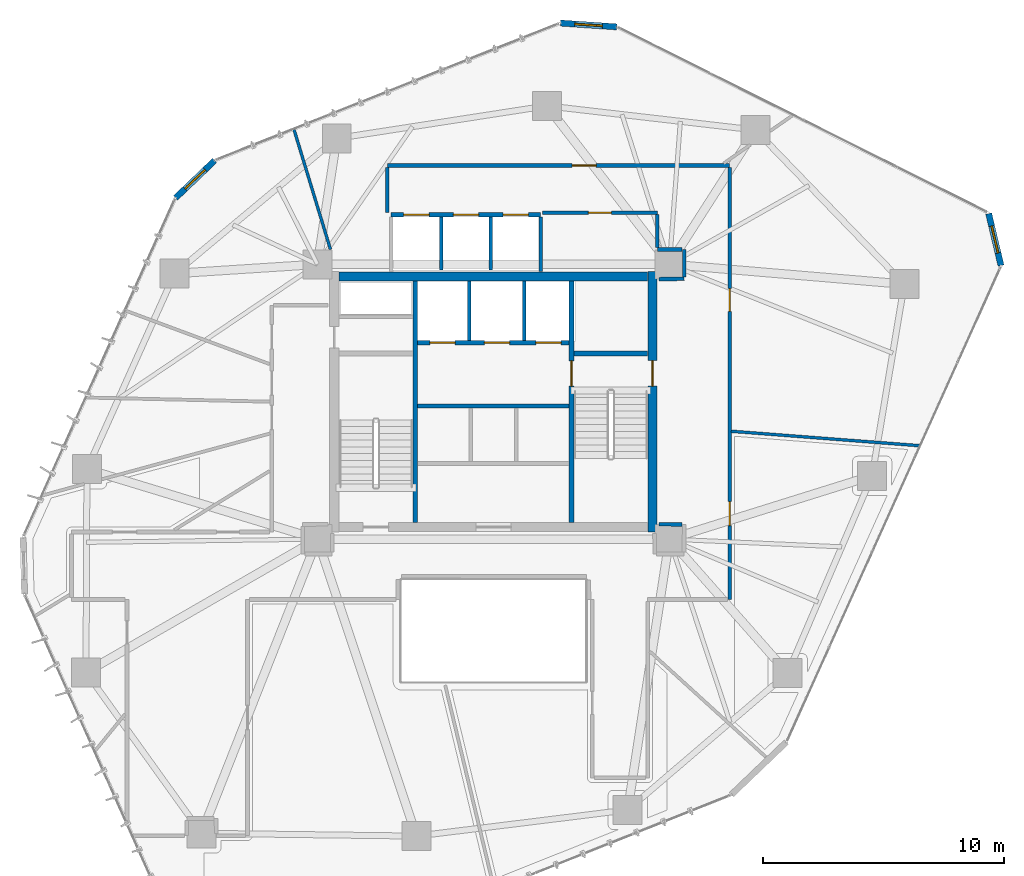
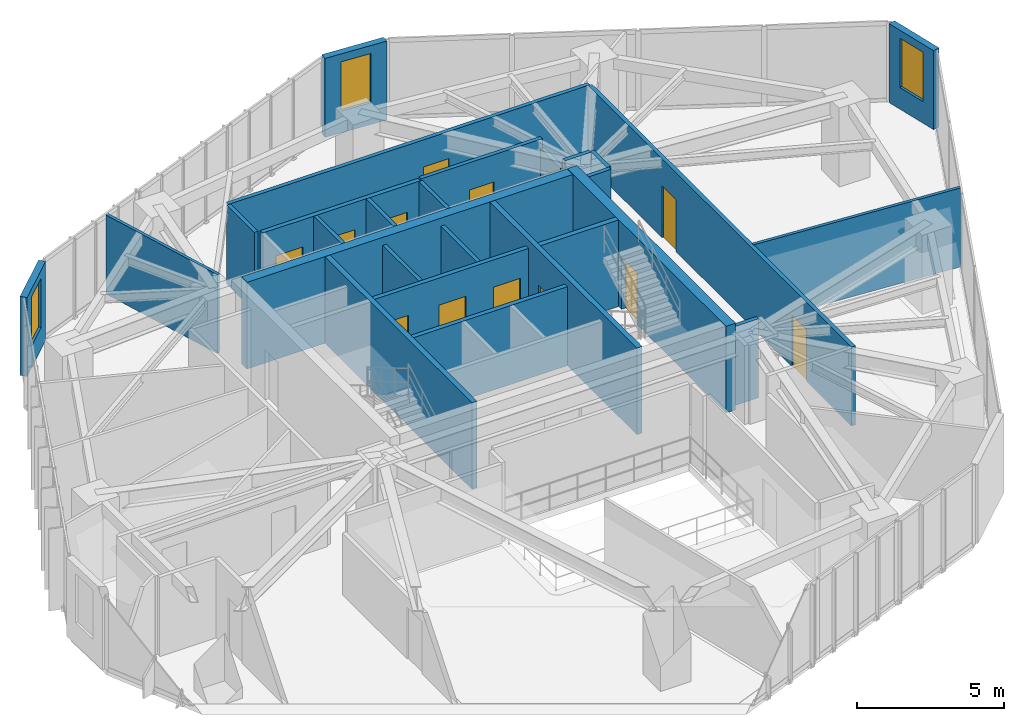
# One storey, part 18 of 22: 27 walls, 12 doors, 3 windows, 15 openings.
"""IFC4 building model written with IfcOpenShell, lengths in metres."""

from ifc_helpers import new_model, si_unit, direction, frame, frame_2d, origin, place, context, subcontext, project, spatial, rectangle, extrude, source, transform, mapped, material, layer, layer_set, type_object, type_shapes, element, fill, save


model = new_model("IFC4")

# Units and contexts
model_context = context("Model", 3, precision=1e-05, world=origin(), true_north=direction((0.0, 1.0)))
body_context = subcontext(model_context, "Body", "Model", "MODEL_VIEW")
ifc_project = project(units=[si_unit("LENGTHUNIT", "METRE"), si_unit("AREAUNIT", "SQUARE_METRE"), si_unit("VOLUMEUNIT", "CUBIC_METRE"), si_unit("PLANEANGLEUNIT", "RADIAN"), si_unit("MASSUNIT", "GRAM", prefix="KILO")], contexts=[model_context])

# Site, building, storey
site_placement = place(None, origin())
site = spatial("IfcSite", under=ifc_project, at=site_placement, CompositionType="ELEMENT")
building_placement = place(site_placement, origin())
building = spatial("IfcBuilding", under=site, at=building_placement, Name="Talar Marvaseh", CompositionType="ELEMENT")
storey_placement = place(building_placement, frame((0.0, 0.0, 154.199951171875)))
storey = spatial("IfcBuildingStorey", under=building, at=storey_placement, Name="L40", CompositionType="ELEMENT", Elevation=154.199951171875)

# Wall, opening, window
ifc_material_1 = material(Name="Precast concrete C45/55", Category="concrete")
ifc_layer_1 = layer(ifc_material_1, 0.2548828125)
ifc_layer_set_1 = layer_set([ifc_layer_1], Name="Precast concrete C45/55")
wall_type_1 = type_object("IfcWallType", Name="Chamfered Hexagonal Corner Pier Wall Z2 255", PredefinedType="SOLIDWALL", material=ifc_layer_set_1)
wall_1_placement = place(storey_placement, frame((12.81298828125, 39.652099609375, 0.0), z_axis=(0.0, 0.0, 1.0), x_axis=(0.722379662659, 0.69149665435, 0.0)))
wall_1 = element("IfcWall", 1, at=wall_1_placement, inside=storey, type_object=wall_type_1, Name="L40 Chamfered Corner Limestone Pier 3", PredefinedType="SOLIDWALL", context=body_context, shape_type="SweptSolid", body=[
    extrude(rectangle(XDim=2.2451171875, YDim=0.2548828125, at=frame_2d((1.12255859375, 0.0))), origin(), (0.0, 0.0, 1.0), 3.280029296875),
])
opening_1_placement = place(wall_1_placement, frame((0.548095703125, 0.0, 0.89990234375)))
opening_1 = element("IfcOpeningElement", 2, at=opening_1_placement, cuts=wall_1, Name="Opening WN-CHM11", PredefinedType="OPENING", context=body_context, shape_type="SweptSolid", body=[
    extrude(rectangle(XDim=1.14990234375, YDim=2.050048828125, at=frame_2d((0.574951171875, 1.02490234375))), frame((0.0, 0.137451171875, 0.0), z_axis=(0.0, -1.0, 0.0), x_axis=(1.0, 0.0, 0.0)), (0.0, 0.0, 1.0), 0.27490234375),
])
ifc_material_2 = material(Name="Laminated Low-E Solar Glass", Category="glass")
window_type = type_object("IfcWindowType", Name="Zone 2 Chamfered Corner Slot Window 1150x2050", PartitioningType="SINGLE_PANEL", PredefinedType="WINDOW", material=ifc_material_2)
shared_shape_1 = source(origin(), body_context, "Body", "SweptSolid", [
    extrude(rectangle(XDim=1.14990234375, YDim=2.050048828125, at=frame_2d((0.574951171875, 1.02490234375))), frame((0.0, 0.030029296875, 0.0), z_axis=(0.0, -1.0, 0.0), x_axis=(1.0, 0.0, 0.0)), (0.0, 0.0, 1.0), 0.06005859375),
])
type_shapes(window_type, [shared_shape_1])
window_1_placement = place(opening_1_placement, origin())
window_1 = element("IfcWindow", 3, at=window_1_placement, inside=storey, type_object=window_type, Name="L40 Chamfered Corner Slot Window", OverallHeight=2.050048828125, OverallWidth=1.14990234375, PartitioningType="SINGLE_PANEL", PredefinedType="WINDOW", context=body_context, shape_type="MappedRepresentation", body=[
    mapped(shared_shape_1, transform((0.0, 0.0, 0.0), x_axis=(1.0, 0.0, 0.0), y_axis=(0.0, 1.0, 0.0), z_axis=(0.0, 0.0, 1.0), scale=1.0)),
])
fill(opening_1, window_1)

wall_2_placement = place(storey_placement, frame((28.781494140625, 46.906982421875, 0.0), z_axis=(0.0, 0.0, 1.0), x_axis=(0.997713518123, -0.067585026107, 0.0)))
wall_2 = element("IfcWall", 4, at=wall_2_placement, inside=storey, type_object=wall_type_1, Name="L40 Chamfered Corner Limestone Pier 4", PredefinedType="SOLIDWALL", context=body_context, shape_type="SweptSolid", body=[
    extrude(rectangle(XDim=2.3408203125, YDim=0.2548828125, at=frame_2d((1.17041015625, 0.0))), origin(), (0.0, 0.0, 1.0), 3.280029296875),
])
opening_2_placement = place(wall_2_placement, frame((0.594970703125, 0.0, 0.89990234375)))
opening_2 = element("IfcOpeningElement", 5, at=opening_2_placement, cuts=wall_2, Name="Opening WN-CHM11", PredefinedType="OPENING", context=body_context, shape_type="SweptSolid", body=[
    extrude(rectangle(XDim=1.14990234375, YDim=2.050048828125, at=frame_2d((0.574951171875, 1.02490234375))), frame((0.0, 0.137451171875, 0.0), z_axis=(0.0, -1.0, 0.0), x_axis=(1.0, 0.0, 0.0)), (0.0, 0.0, 1.0), 0.27490234375),
])
window_2_placement = place(opening_2_placement, origin())
window_2 = element("IfcWindow", 6, at=window_2_placement, inside=storey, type_object=window_type, Name="L40 Chamfered Corner Slot Window", OverallHeight=2.050048828125, OverallWidth=1.14990234375, PartitioningType="SINGLE_PANEL", PredefinedType="WINDOW", context=body_context, shape_type="MappedRepresentation", body=[
    mapped(shared_shape_1, transform((0.0, 0.0, 0.0), x_axis=(1.0, 0.0, 0.0), y_axis=(0.0, 1.0, 0.0), z_axis=(0.0, 0.0, 1.0), scale=1.0)),
])
fill(opening_2, window_2)

wall_3_placement = place(storey_placement, frame((46.543701171875, 39.006103515625, 0.0), z_axis=(0.0, 0.0, 1.0), x_axis=(0.230518527503, -0.973067936209, 0.0)))
wall_3 = element("IfcWall", 7, at=wall_3_placement, inside=storey, type_object=wall_type_1, Name="L40 Chamfered Corner Limestone Pier 5", PredefinedType="SOLIDWALL", context=body_context, shape_type="SweptSolid", body=[
    extrude(rectangle(XDim=2.216796875, YDim=0.2548828125, at=frame_2d((1.1083984375, 0.0))), origin(), (0.0, 0.0, 1.0), 3.280029296875),
])
opening_3_placement = place(wall_3_placement, frame((0.532958984375, 0.0, 0.89990234375)))
opening_3 = element("IfcOpeningElement", 8, at=opening_3_placement, cuts=wall_3, Name="Opening WN-CHM11", PredefinedType="OPENING", context=body_context, shape_type="SweptSolid", body=[
    extrude(rectangle(XDim=1.14990234375, YDim=2.050048828125, at=frame_2d((0.574951171875, 1.02490234375))), frame((0.0, 0.137451171875, 0.0), z_axis=(0.0, -1.0, 0.0), x_axis=(1.0, 0.0, 0.0)), (0.0, 0.0, 1.0), 0.27490234375),
])
window_3_placement = place(opening_3_placement, origin())
window_3 = element("IfcWindow", 9, at=window_3_placement, inside=storey, type_object=window_type, Name="L40 Chamfered Corner Slot Window", OverallHeight=2.050048828125, OverallWidth=1.14990234375, PartitioningType="SINGLE_PANEL", PredefinedType="WINDOW", context=body_context, shape_type="MappedRepresentation", body=[
    mapped(shared_shape_1, transform((0.0, 0.0, 0.0), x_axis=(1.0, 0.0, 0.0), y_axis=(0.0, 1.0, 0.0), z_axis=(0.0, 0.0, 1.0), scale=1.0)),
])
fill(opening_3, window_3)

# Wall, opening, door
ifc_material_3 = material(Name="Gypsum Board Partition Assembly")
ifc_layer_2 = layer(ifc_material_3, 0.155029296875)
ifc_layer_set_2 = layer_set([ifc_layer_2], Name="Gypsum Board Partition Assembly")
wall_type_2 = type_object("IfcWallType", Name="Corridor Fire-Rated Acoustic Partition 155", PredefinedType="PARTITIONING", material=ifc_layer_set_2)
wall_4_placement = place(storey_placement, frame((32.800048828125, 39.0400390625, 0.0), z_axis=(0.0, 0.0, 1.0), x_axis=(-1.0, 0.0, 0.0)))
wall_4 = element("IfcWall", 10, at=wall_4_placement, inside=storey, type_object=wall_type_2, Name="L40 Interior Partition Wall", PredefinedType="PARTITIONING", context=body_context, shape_type="SweptSolid", body=[
    extrude(rectangle(XDim=4.77001953125, YDim=0.155029296875, at=frame_2d((2.385009765625, 0.0))), origin(), (0.0, 0.0, 1.0), 3.280029296875),
])
opening_4_placement = place(wall_4_placement, frame((1.909912109375, 0.0, 0.0)))
opening_4 = element("IfcOpeningElement", 11, at=opening_4_placement, cuts=wall_4, Name="Opening DR-WC095", PredefinedType="OPENING", context=body_context, shape_type="SweptSolid", body=[
    extrude(rectangle(XDim=0.949951171875, YDim=2.14990234375, at=frame_2d((0.47509765625, 1.074951171875))), frame((0.0, 0.08740234375, 0.0), z_axis=(0.0, -1.0, 0.0), x_axis=(1.0, 0.0, 0.0)), (0.0, 0.0, 1.0), 0.175048828125),
])
ifc_material_4 = material(Name="Acoustic Engineered Oak Timber", Category="wood")
door_type_1 = type_object("IfcDoorType", Name="Washroom and Service Room Door 950x2150", OperationType="NOTDEFINED", PredefinedType="DOOR", material=ifc_material_4)
shared_shape_2 = source(origin(), body_context, "Body", "SweptSolid", [
    extrude(rectangle(XDim=0.949951171875, YDim=2.14990234375, at=frame_2d((0.47509765625, 1.074951171875))), frame((0.0, 0.02490234375, 0.0), z_axis=(0.0, -1.0, 0.0), x_axis=(1.0, 0.0, 0.0)), (0.0, 0.0, 1.0), 0.050048828125),
])
type_shapes(door_type_1, [shared_shape_2])
door_1_placement = place(opening_4_placement, origin())
door_1 = element("IfcDoor", 12, at=door_1_placement, inside=storey, type_object=door_type_1, Name="L40 Accessible WC Door", OperationType="SINGLE_SWING_RIGHT", OverallHeight=2.14990234375, OverallWidth=0.949951171875, PredefinedType="DOOR", context=body_context, shape_type="MappedRepresentation", body=[
    mapped(shared_shape_2, transform((0.0, 0.0, 0.0), x_axis=(1.0, 0.0, 0.0), y_axis=(0.0, 1.0, 0.0), z_axis=(0.0, 0.0, 1.0), scale=1.0)),
])
fill(opening_4, door_1)

wall_5_placement = place(storey_placement, frame((21.60009765625, 41.0, 0.0), z_axis=(0.0, 0.0, 1.0), x_axis=(1.0, 0.0, 0.0)))
wall_5 = element("IfcWall", 13, at=wall_5_placement, inside=storey, type_object=wall_type_2, Name="L40 Interior Partition Wall", PredefinedType="PARTITIONING", context=body_context, shape_type="SweptSolid", body=[
    extrude(rectangle(XDim=14.199951171875, YDim=0.155029296875, at=frame_2d((7.10009765625, 0.0))), origin(), (0.0, 0.0, 1.0), 3.280029296875),
])
opening_5_placement = place(wall_5_placement, frame((7.660888671875, 0.0, 0.0)))
opening_5 = element("IfcOpeningElement", 14, at=opening_5_placement, cuts=wall_5, Name="Opening DR-RM100", PredefinedType="OPENING", context=body_context, shape_type="SweptSolid", body=[
    extrude(rectangle(XDim=1.0, YDim=2.14990234375, at=frame_2d((0.5, 1.074951171875))), frame((0.0, 0.08740234375, 0.0), z_axis=(0.0, -1.0, 0.0), x_axis=(1.0, 0.0, 0.0)), (0.0, 0.0, 1.0), 0.175048828125),
])
door_type_2 = type_object("IfcDoorType", Name="Corridor Fire-Rated Gallery Door 1000x2150", OperationType="NOTDEFINED", PredefinedType="DOOR", material=ifc_material_4)
shared_shape_3 = source(origin(), body_context, "Body", "SweptSolid", [
    extrude(rectangle(XDim=1.0, YDim=2.14990234375, at=frame_2d((0.5, 1.074951171875))), frame((0.0, 0.02490234375, 0.0), z_axis=(0.0, -1.0, 0.0), x_axis=(1.0, 0.0, 0.0)), (0.0, 0.0, 1.0), 0.050048828125),
])
type_shapes(door_type_2, [shared_shape_3])
door_2_placement = place(opening_5_placement, origin())
door_2 = element("IfcDoor", 15, at=door_2_placement, inside=storey, type_object=door_type_2, Name="L40 Conservation Laboratory Door", OperationType="SINGLE_SWING_LEFT", OverallHeight=2.14990234375, OverallWidth=1.0, PredefinedType="DOOR", context=body_context, shape_type="MappedRepresentation", body=[
    mapped(shared_shape_3, transform((0.0, 0.0, 0.0), x_axis=(1.0, 0.0, 0.0), y_axis=(0.0, 1.0, 0.0), z_axis=(0.0, 0.0, 1.0), scale=1.0)),
])
fill(opening_5, door_2)

# Wall, openings, doors
wall_6_placement = place(storey_placement, frame((35.800048828125, 40.91650390625, 0.0), z_axis=(0.0, 0.0, 1.0), x_axis=(0.0, -1.0, 0.0)))
wall_6 = element("IfcWall", 16, at=wall_6_placement, inside=storey, type_object=wall_type_2, Name="L40 Interior Partition Wall", PredefinedType="PARTITIONING", context=body_context, shape_type="SweptSolid", body=[
    extrude(rectangle(XDim=17.91650390625, YDim=0.155029296875, at=frame_2d((8.958251953125, 0.0))), origin(), (0.0, 0.0, 1.0), 3.280029296875),
])
opening_6_placement = place(wall_6_placement, frame((13.85498046875, 0.0, 0.0)))
opening_6 = element("IfcOpeningElement", 17, at=opening_6_placement, cuts=wall_6, Name="Opening DR-RM100", PredefinedType="OPENING", context=body_context, shape_type="SweptSolid", body=[
    extrude(rectangle(XDim=1.0, YDim=2.14990234375, at=frame_2d((0.5, 1.074951171875))), frame((0.0, 0.08740234375, 0.0), z_axis=(0.0, -1.0, 0.0), x_axis=(1.0, 0.0, 0.0)), (0.0, 0.0, 1.0), 0.175048828125),
])
opening_7_placement = place(wall_6_placement, frame((5.02001953125, 0.0, 0.0)))
opening_7 = element("IfcOpeningElement", 18, at=opening_7_placement, cuts=wall_6, Name="Opening DR-WC095", PredefinedType="OPENING", context=body_context, shape_type="SweptSolid", body=[
    extrude(rectangle(XDim=0.949951171875, YDim=2.14990234375, at=frame_2d((0.47509765625, 1.074951171875))), frame((0.0, 0.08740234375, 0.0), z_axis=(0.0, -1.0, 0.0), x_axis=(1.0, 0.0, 0.0)), (0.0, 0.0, 1.0), 0.175048828125),
])
door_3_placement = place(opening_7_placement, origin())
door_3 = element("IfcDoor", 19, at=door_3_placement, inside=storey, type_object=door_type_1, Name="L40 Fellows' Coffee Pantry Door", OperationType="SINGLE_SWING_LEFT", OverallHeight=2.14990234375, OverallWidth=0.949951171875, PredefinedType="DOOR", context=body_context, shape_type="MappedRepresentation", body=[
    mapped(shared_shape_2, transform((0.0, 0.0, 0.0), x_axis=(1.0, 0.0, 0.0), y_axis=(0.0, 1.0, 0.0), z_axis=(0.0, 0.0, 1.0), scale=1.0)),
])
fill(opening_7, door_3)
door_4_placement = place(opening_6_placement, origin())
door_4 = element("IfcDoor", 20, at=door_4_placement, inside=storey, type_object=door_type_2, Name="L40 Cultural Fellowship Office Door", OperationType="SINGLE_SWING_RIGHT", OverallHeight=2.14990234375, OverallWidth=1.0, PredefinedType="DOOR", context=body_context, shape_type="MappedRepresentation", body=[
    mapped(shared_shape_3, transform((0.0, 0.0, 0.0), x_axis=(1.0, 0.0, 0.0), y_axis=(0.0, 1.0, 0.0), z_axis=(0.0, 0.0, 1.0), scale=1.0)),
])
fill(opening_6, door_4)

# Walls
wall_7_placement = place(storey_placement, frame((33.828125, 26.110107421875, 0.0), z_axis=(0.0, 0.0, 1.0), x_axis=(-0.999987011364, 0.005096773758, 0.0)))
element("IfcWall", 21, at=wall_7_placement, inside=storey, type_object=wall_type_2, Name="L40 Interior Partition Wall", PredefinedType="PARTITIONING", context=body_context, shape_type="SweptSolid", body=[
    extrude(rectangle(XDim=0.9580078125, YDim=0.155029296875, at=frame_2d((0.47900390625, 0.0))), origin(), (0.0, 0.0, 1.0), 3.280029296875),
])
wall_8_placement = place(storey_placement, frame((32.8701171875, 36.284912109375, 0.0), z_axis=(0.0, 0.0, 1.0), x_axis=(0.999895094683, 0.014484461652, 0.0)))
element("IfcWall", 22, at=wall_8_placement, inside=storey, type_object=wall_type_2, Name="L40 Interior Partition Wall", PredefinedType="PARTITIONING", context=body_context, shape_type="SweptSolid", body=[
    extrude(rectangle(XDim=1.044921875, YDim=0.155029296875, at=frame_2d((0.5224609375, 0.0))), origin(), (0.0, 0.0, 1.0), 3.280029296875),
])
wall_9_placement = place(storey_placement, frame((33.914794921875, 36.383544921875, 0.0), z_axis=(0.0, 0.0, 1.0), x_axis=(-0.003682817312, 0.999993218405, 0.0)))
element("IfcWall", 23, at=wall_9_placement, inside=storey, type_object=wall_type_2, Name="L40 Interior Partition Wall", PredefinedType="PARTITIONING", context=body_context, shape_type="SweptSolid", body=[
    extrude(rectangle(XDim=1.126953125, YDim=0.155029296875, at=frame_2d((0.5634765625, 0.0))), origin(), (0.0, 0.0, 1.0), 3.280029296875),
])
wall_10_placement = place(storey_placement, frame((33.8271484375, 37.510986328125, 0.0), z_axis=(0.0, 0.0, 1.0), x_axis=(-0.99999276797, 0.003803157663, 0.0)))
element("IfcWall", 24, at=wall_10_placement, inside=storey, type_object=wall_type_2, Name="L40 Interior Partition Wall", PredefinedType="PARTITIONING", context=body_context, shape_type="SweptSolid", body=[
    extrude(rectangle(XDim=1.027099609375, YDim=0.155029296875, at=frame_2d((0.513671875, 0.0))), origin(), (0.0, 0.0, 1.0), 3.280029296875),
])
wall_11_placement = place(storey_placement, frame((32.800048828125, 37.598388671875, 0.0), z_axis=(0.0, 0.0, 1.0), x_axis=(0.0, 1.0, 0.0)))
element("IfcWall", 25, at=wall_11_placement, inside=storey, type_object=wall_type_2, Name="L40 Interior Partition Wall", PredefinedType="PARTITIONING", context=body_context, shape_type="SweptSolid", body=[
    extrude(rectangle(XDim=1.358154296875, YDim=0.155029296875, at=frame_2d((0.67919921875, 0.0))), origin(), (0.0, 0.0, 1.0), 2.89697265625),
])
wall_12_placement = place(storey_placement, frame((21.60009765625, 39.0400390625, 0.0), z_axis=(0.0, 0.0, 1.0), x_axis=(0.0, 1.0, 0.0)))
element("IfcWall", 26, at=wall_12_placement, inside=storey, type_object=wall_type_2, Name="L40 Interior Partition Wall", PredefinedType="PARTITIONING", context=body_context, shape_type="SweptSolid", body=[
    extrude(rectangle(XDim=1.87646484375, YDim=0.155029296875, at=frame_2d((0.938232421875, 0.0))), origin(), (0.0, 0.0, 1.0), 3.280029296875),
])
ifc_layer_3 = layer(ifc_material_3, 0.1201171875)
ifc_layer_set_3 = layer_set([ifc_layer_3], Name="Gypsum Board Partition Assembly")
wall_type_3 = type_object("IfcWallType", Name="Demountable Studio Room Partition 120", PredefinedType="PARTITIONING", material=ifc_layer_set_3)
wall_13_placement = place(storey_placement, frame((35.86474609375, 29.97509765625, 0.0), z_axis=(0.0, 0.0, 1.0), x_axis=(0.997068037622, -0.076520117302, 0.0)))
element("IfcWall", 27, at=wall_13_placement, inside=storey, type_object=wall_type_3, Name="L40 Interior Partition Wall", PredefinedType="PARTITIONING", context=body_context, shape_type="SweptSolid", body=[
    extrude(rectangle(XDim=7.832763671875, YDim=0.1201171875, at=frame_2d((3.91650390625, 0.0))), origin(), (0.0, 0.0, 1.0), 3.280029296875),
])
wall_14_placement = place(storey_placement, frame((19.239990234375, 37.52001953125, 0.0), z_axis=(0.0, 0.0, 1.0), x_axis=(-0.291000835573, 0.956722798775, 0.0)))
element("IfcWall", 28, at=wall_14_placement, inside=storey, type_object=wall_type_3, Name="L40 Interior Partition Wall", PredefinedType="PARTITIONING", context=body_context, shape_type="SweptSolid", body=[
    extrude(rectangle(XDim=5.196533203125, YDim=0.1201171875, at=frame_2d((2.59814453125, 0.0))), origin(), (0.0, 0.0, 1.0), 3.280029296875),
])
ifc_layer_4 = layer(ifc_material_1, 0.14501953125)
ifc_layer_set_4 = layer_set([ifc_layer_4], Name="Precast concrete C45/55")
wall_type_4 = type_object("IfcWallType", Name="Fire-Rated Lift Divider Wall 145", PredefinedType="SOLIDWALL", material=ifc_layer_set_4)
for number, where, z_axis, x_axis, name in (
    (29, (25.0, 33.743408203125, 0.0), (0.0, 0.0, 1.0), (0.0, 1.0, 0.0), "L40 FFL-1/FFL-2 Divider"),
    (30, (27.280029296875, 33.743408203125, 0.0), (0.0, 0.0, 1.0), (0.0, 1.0, 0.0), "L40 FFL-2/SVL-1 Divider"),
):
    element("IfcWall", number, at=place(storey_placement, frame(where, z_axis=z_axis, x_axis=x_axis)), inside=storey, type_object=wall_type_4, Name=name, PredefinedType="SOLIDWALL", context=body_context, shape_type="SweptSolid", body=[
        extrude(rectangle(XDim=2.45654296875, YDim=0.14501953125, at=frame_2d((1.228271484375, 0.0))), origin(), (0.0, 0.0, 1.0), 3.280029296875),
    ])
wall_15_placement = place(storey_placement, frame((27.9599609375, 36.60009765625, 0.0), z_axis=(0.0, 0.0, 1.0), x_axis=(0.0, 1.0, 0.0)))
element("IfcWall", 31, at=wall_15_placement, inside=storey, type_object=wall_type_4, Name="L40 Low-Rise Bank East Wall", PredefinedType="SOLIDWALL", context=body_context, shape_type="SweptSolid", body=[
    extrude(rectangle(XDim=2.266357421875, YDim=0.14501953125, at=frame_2d((1.13330078125, 0.0))), origin(), (0.0, 0.0, 1.0), 3.280029296875),
])
for number, where, z_axis, x_axis, name in (
    (32, (23.830078125, 36.659912109375, 0.0), (0.0, 0.0, 1.0), (0.0, 1.0, 0.0), "L40 PL-L1/PL-L2 Divider"),
    (33, (25.889892578125, 36.659912109375, 0.0), (0.0, 0.0, 1.0), (0.0, 1.0, 0.0), "L40 PL-L2/PL-L3 Divider"),
):
    element("IfcWall", number, at=place(storey_placement, frame(where, z_axis=z_axis, x_axis=x_axis)), inside=storey, type_object=wall_type_4, Name=name, PredefinedType="SOLIDWALL", context=body_context, shape_type="SweptSolid", body=[
        extrude(rectangle(XDim=2.20654296875, YDim=0.14501953125, at=frame_2d((1.103271484375, 0.0))), origin(), (0.0, 0.0, 1.0), 3.280029296875),
    ])

# Wall, openings, doors
ifc_layer_5 = layer(ifc_material_1, 0.175048828125)
ifc_layer_set_5 = layer_set([ifc_layer_5], Name="Precast concrete C45/55")
wall_type_5 = type_object("IfcWallType", Name="Fire-Rated Lift Hoistway Enclosure Wall 175", PredefinedType="SOLIDWALL", material=ifc_layer_set_5)
wall_16_placement = place(storey_placement, frame((22.860107421875, 33.64990234375, 0.0), z_axis=(0.0, 0.0, 1.0), x_axis=(1.0, 0.0, 0.0)))
wall_16 = element("IfcWall", 34, at=wall_16_placement, inside=storey, type_object=wall_type_5, Name="L40 Firefighting and Service Lift Front Wall", PredefinedType="SOLIDWALL", context=body_context, shape_type="SweptSolid", body=[
    extrude(rectangle(XDim=6.27978515625, YDim=0.175048828125, at=frame_2d((3.139892578125, 0.0))), origin(), (0.0, 0.0, 1.0), 3.280029296875),
])
opening_8_placement = place(wall_16_placement, frame((0.5, 0.0, 0.0)))
opening_8 = element("IfcOpeningElement", 35, at=opening_8_placement, cuts=wall_16, Name="Opening LD-FF1", PredefinedType="OPENING", context=body_context, shape_type="SweptSolid", body=[
    extrude(rectangle(XDim=1.050048828125, YDim=2.14990234375, at=frame_2d((0.52490234375, 1.074951171875))), frame((0.0, 0.09765625, 0.0), z_axis=(0.0, -1.0, 0.0), x_axis=(1.0, 0.0, 0.0)), (0.0, 0.0, 1.0), 0.195068359375),
])
opening_9_placement = place(wall_16_placement, frame((2.760009765625, 0.0, 0.0)))
opening_9 = element("IfcOpeningElement", 36, at=opening_9_placement, cuts=wall_16, Name="Opening LD-FF2", PredefinedType="OPENING", context=body_context, shape_type="SweptSolid", body=[
    extrude(rectangle(XDim=1.050048828125, YDim=2.14990234375, at=frame_2d((0.52490234375, 1.074951171875))), frame((0.0, 0.09765625, 0.0), z_axis=(0.0, -1.0, 0.0), x_axis=(1.0, 0.0, 0.0)), (0.0, 0.0, 1.0), 0.195068359375),
])
opening_10_placement = place(wall_16_placement, frame((4.89990234375, 0.0, 0.0)))
opening_10 = element("IfcOpeningElement", 37, at=opening_10_placement, cuts=wall_16, Name="Opening LD-SV1", PredefinedType="OPENING", context=body_context, shape_type="SweptSolid", body=[
    extrude(rectangle(XDim=1.050048828125, YDim=2.14990234375, at=frame_2d((0.52490234375, 1.074951171875))), frame((0.0, 0.09765625, 0.0), z_axis=(0.0, -1.0, 0.0), x_axis=(1.0, 0.0, 0.0)), (0.0, 0.0, 1.0), 0.195068359375),
])
ifc_material_5 = material(Name="Stainless Steel Grade 316", Category="steel")
door_type_3 = type_object("IfcDoorType", Name="Automatic Sliding Lift Landing Door 1050x2150", OperationType="NOTDEFINED", PredefinedType="DOOR", material=ifc_material_5)
shared_shape_4 = source(origin(), body_context, "Body", "SweptSolid", [
    extrude(rectangle(XDim=1.050048828125, YDim=2.14990234375, at=frame_2d((0.52490234375, 1.074951171875))), frame((0.0, 0.02490234375, 0.0), z_axis=(0.0, -1.0, 0.0), x_axis=(1.0, 0.0, 0.0)), (0.0, 0.0, 1.0), 0.050048828125),
])
type_shapes(door_type_3, [shared_shape_4])
door_5_placement = place(opening_8_placement, origin())
door_5 = element("IfcDoor", 38, at=door_5_placement, inside=storey, type_object=door_type_3, Name="L40 Lift FFL-1 Sliding Landing Door", OperationType="SLIDING_TO_LEFT", OverallHeight=2.14990234375, OverallWidth=1.050048828125, PredefinedType="DOOR", context=body_context, shape_type="MappedRepresentation", body=[
    mapped(shared_shape_4, transform((0.0, 0.0, 0.0), x_axis=(1.0, 0.0, 0.0), y_axis=(0.0, 1.0, 0.0), z_axis=(0.0, 0.0, 1.0), scale=1.0)),
])
fill(opening_8, door_5)
door_6_placement = place(opening_9_placement, origin())
door_6 = element("IfcDoor", 39, at=door_6_placement, inside=storey, type_object=door_type_3, Name="L40 Lift FFL-2 Sliding Landing Door", OperationType="SLIDING_TO_LEFT", OverallHeight=2.14990234375, OverallWidth=1.050048828125, PredefinedType="DOOR", context=body_context, shape_type="MappedRepresentation", body=[
    mapped(shared_shape_4, transform((0.0, 0.0, 0.0), x_axis=(1.0, 0.0, 0.0), y_axis=(0.0, 1.0, 0.0), z_axis=(0.0, 0.0, 1.0), scale=1.0)),
])
fill(opening_9, door_6)
door_7_placement = place(opening_10_placement, origin())
door_7 = element("IfcDoor", 40, at=door_7_placement, inside=storey, type_object=door_type_3, Name="L40 Lift SVL-1 Sliding Landing Door", OperationType="SLIDING_TO_LEFT", OverallHeight=2.14990234375, OverallWidth=1.050048828125, PredefinedType="DOOR", context=body_context, shape_type="MappedRepresentation", body=[
    mapped(shared_shape_4, transform((0.0, 0.0, 0.0), x_axis=(1.0, 0.0, 0.0), y_axis=(0.0, 1.0, 0.0), z_axis=(0.0, 0.0, 1.0), scale=1.0)),
])
fill(opening_10, door_7)

# Wall
wall_17_placement = place(storey_placement, frame((22.860107421875, 31.02001953125, 0.0), z_axis=(0.0, 0.0, 1.0), x_axis=(1.0, 0.0, 0.0)))
element("IfcWall", 41, at=wall_17_placement, inside=storey, type_object=wall_type_5, Name="L40 Firefighting Lobby South Smoke Wall", PredefinedType="SOLIDWALL", context=body_context, shape_type="SweptSolid", body=[
    extrude(rectangle(XDim=6.27978515625, YDim=0.175048828125, at=frame_2d((3.139892578125, 0.0))), origin(), (0.0, 0.0, 1.0), 3.280029296875),
])

# Wall, openings, doors
wall_18_placement = place(storey_placement, frame((21.760009765625, 38.9599609375, 0.0), z_axis=(0.0, 0.0, 1.0), x_axis=(1.0, 0.0, 0.0)))
wall_18 = element("IfcWall", 42, at=wall_18_placement, inside=storey, type_object=wall_type_5, Name="L40 Low-Rise Lift Bank Front Wall", PredefinedType="SOLIDWALL", context=body_context, shape_type="SweptSolid", body=[
    extrude(rectangle(XDim=6.199951171875, YDim=0.175048828125, at=frame_2d((3.10009765625, 0.0))), origin(), (0.0, 0.0, 1.0), 3.280029296875),
])
opening_11_placement = place(wall_18_placement, frame((0.52001953125, 0.0, 0.0)))
opening_11 = element("IfcOpeningElement", 43, at=opening_11_placement, cuts=wall_18, Name="Opening LD-PLL1", PredefinedType="OPENING", context=body_context, shape_type="SweptSolid", body=[
    extrude(rectangle(XDim=1.050048828125, YDim=2.14990234375, at=frame_2d((0.52490234375, 1.074951171875))), frame((0.0, 0.09765625, 0.0), z_axis=(0.0, -1.0, 0.0), x_axis=(1.0, 0.0, 0.0)), (0.0, 0.0, 1.0), 0.195068359375),
])
opening_12_placement = place(wall_18_placement, frame((2.580078125, 0.0, 0.0)))
opening_12 = element("IfcOpeningElement", 44, at=opening_12_placement, cuts=wall_18, Name="Opening LD-PLL2", PredefinedType="OPENING", context=body_context, shape_type="SweptSolid", body=[
    extrude(rectangle(XDim=1.050048828125, YDim=2.14990234375, at=frame_2d((0.52490234375, 1.074951171875))), frame((0.0, 0.09765625, 0.0), z_axis=(0.0, -1.0, 0.0), x_axis=(1.0, 0.0, 0.0)), (0.0, 0.0, 1.0), 0.195068359375),
])
opening_13_placement = place(wall_18_placement, frame((4.639892578125, 0.0, 0.0)))
opening_13 = element("IfcOpeningElement", 45, at=opening_13_placement, cuts=wall_18, Name="Opening LD-PLL3", PredefinedType="OPENING", context=body_context, shape_type="SweptSolid", body=[
    extrude(rectangle(XDim=1.050048828125, YDim=2.14990234375, at=frame_2d((0.52490234375, 1.074951171875))), frame((0.0, 0.09765625, 0.0), z_axis=(0.0, -1.0, 0.0), x_axis=(1.0, 0.0, 0.0)), (0.0, 0.0, 1.0), 0.195068359375),
])
door_8_placement = place(opening_11_placement, origin())
door_8 = element("IfcDoor", 46, at=door_8_placement, inside=storey, type_object=door_type_3, Name="L40 Lift PL-L1 Sliding Landing Door", OperationType="SLIDING_TO_LEFT", OverallHeight=2.14990234375, OverallWidth=1.050048828125, PredefinedType="DOOR", context=body_context, shape_type="MappedRepresentation", body=[
    mapped(shared_shape_4, transform((0.0, 0.0, 0.0), x_axis=(1.0, 0.0, 0.0), y_axis=(0.0, 1.0, 0.0), z_axis=(0.0, 0.0, 1.0), scale=1.0)),
])
fill(opening_11, door_8)
door_9_placement = place(opening_12_placement, origin())
door_9 = element("IfcDoor", 47, at=door_9_placement, inside=storey, type_object=door_type_3, Name="L40 Lift PL-L2 Sliding Landing Door", OperationType="SLIDING_TO_LEFT", OverallHeight=2.14990234375, OverallWidth=1.050048828125, PredefinedType="DOOR", context=body_context, shape_type="MappedRepresentation", body=[
    mapped(shared_shape_4, transform((0.0, 0.0, 0.0), x_axis=(1.0, 0.0, 0.0), y_axis=(0.0, 1.0, 0.0), z_axis=(0.0, 0.0, 1.0), scale=1.0)),
])
fill(opening_12, door_9)
door_10_placement = place(opening_13_placement, origin())
door_10 = element("IfcDoor", 48, at=door_10_placement, inside=storey, type_object=door_type_3, Name="L40 Lift PL-L3 Sliding Landing Door", OperationType="SLIDING_TO_LEFT", OverallHeight=2.14990234375, OverallWidth=1.050048828125, PredefinedType="DOOR", context=body_context, shape_type="MappedRepresentation", body=[
    mapped(shared_shape_4, transform((0.0, 0.0, 0.0), x_axis=(1.0, 0.0, 0.0), y_axis=(0.0, 1.0, 0.0), z_axis=(0.0, 0.0, 1.0), scale=1.0)),
])
fill(opening_13, door_10)

# Wall, opening, door
ifc_material_6 = material(Name="Concrete C60/75", Category="concrete")
ifc_layer_6 = layer(ifc_material_6, 0.3798828125)
ifc_layer_set_6 = layer_set([ifc_layer_6], Name="Concrete C60/75")
wall_type_6 = type_object("IfcWallType", Name="Mid Core Reinforced Concrete Shear Wall 380", PredefinedType="SHEAR", material=ifc_layer_set_6)
wall_19_placement = place(storey_placement, frame((32.60009765625, 36.60009765625, 0.0), z_axis=(0.0, 0.0, 1.0), x_axis=(0.0, -1.0, 0.0)))
wall_19 = element("IfcWall", 49, at=wall_19_placement, inside=storey, type_object=wall_type_6, Name="L40 East Core Shear Wall", PredefinedType="SHEAR", context=body_context, shape_type="SweptSolid", body=[
    extrude(rectangle(XDim=10.800048828125, YDim=0.3798828125, at=frame_2d((5.39990234375, 0.0))), origin(), (0.0, 0.0, 1.0), 3.60009765625),
])
opening_14_placement = place(wall_19_placement, frame((3.699951171875, 0.0, 0.0)))
opening_14 = element("IfcOpeningElement", 50, at=opening_14_placement, cuts=wall_19, Name="Opening DR-ST105", PredefinedType="OPENING", context=body_context, shape_type="SweptSolid", body=[
    extrude(rectangle(XDim=1.050048828125, YDim=2.14990234375, at=frame_2d((0.52490234375, 1.074951171875))), frame((0.0, 0.199951171875, 0.0), z_axis=(0.0, -1.0, 0.0), x_axis=(1.0, 0.0, 0.0)), (0.0, 0.0, 1.0), 0.39990234375),
])
ifc_material_7 = material(Name="Fire-Rated Steel Door Leaf", Category="steel")
door_type_4 = type_object("IfcDoorType", Name="Protected Exit Stair Fire Door 1050x2150", OperationType="NOTDEFINED", PredefinedType="DOOR", material=ifc_material_7)
shared_shape_5 = source(origin(), body_context, "Body", "SweptSolid", [
    extrude(rectangle(XDim=1.050048828125, YDim=2.14990234375, at=frame_2d((0.52490234375, 1.074951171875))), frame((0.0, 0.02490234375, 0.0), z_axis=(0.0, -1.0, 0.0), x_axis=(1.0, 0.0, 0.0)), (0.0, 0.0, 1.0), 0.050048828125),
])
type_shapes(door_type_4, [shared_shape_5])
door_11_placement = place(opening_14_placement, origin())
door_11 = element("IfcDoor", 51, at=door_11_placement, inside=storey, type_object=door_type_4, Name="L40 Stair ST-2 Corridor Exit Door", OperationType="SINGLE_SWING_LEFT", OverallHeight=2.14990234375, OverallWidth=1.050048828125, PredefinedType="DOOR", context=body_context, shape_type="MappedRepresentation", body=[
    mapped(shared_shape_5, transform((0.0, 0.0, 0.0), x_axis=(1.0, 0.0, 0.0), y_axis=(0.0, 1.0, 0.0), z_axis=(0.0, 0.0, 1.0), scale=1.0)),
])
fill(opening_14, door_11)

# Walls
wall_20_placement = place(storey_placement, frame((19.60009765625, 36.39990234375, 0.0), z_axis=(0.0, 0.0, 1.0), x_axis=(1.0, 0.0, 0.0)))
element("IfcWall", 52, at=wall_20_placement, inside=storey, type_object=wall_type_6, Name="L40 North Core Shear Wall", PredefinedType="SHEAR", context=body_context, shape_type="SweptSolid", body=[
    extrude(rectangle(XDim=12.7998046875, YDim=0.3798828125, at=frame_2d((6.39990234375, 0.0))), origin(), (0.0, 0.0, 1.0), 3.60009765625),
])
ifc_material_8 = material(Name="Concrete C50/60", Category="concrete")
ifc_layer_7 = layer(ifc_material_8, 0.199951171875)
ifc_layer_set_7 = layer_set([ifc_layer_7], Name="Concrete C50/60")
wall_type_7 = type_object("IfcWallType", Name="Stair Shaft Structural Concrete Shear Wall 200", PredefinedType="SHEAR", material=ifc_layer_set_7)
wall_21_placement = place(storey_placement, frame((22.760009765625, 26.199951171875, 0.0), z_axis=(0.0, 0.0, 1.0), x_axis=(0.0, 1.0, 0.0)))
element("IfcWall", 53, at=wall_21_placement, inside=storey, type_object=wall_type_7, Name="L40 Core West Stair Shear Wall", PredefinedType="SHEAR", context=body_context, shape_type="SweptSolid", body=[
    extrude(rectangle(XDim=10.0, YDim=0.199951171875, at=frame_2d((5.0, 0.0))), origin(), (0.0, 0.0, 1.0), 3.60009765625),
])

# Wall, opening, door
wall_22_placement = place(storey_placement, frame((29.239990234375, 26.199951171875, 0.0), z_axis=(0.0, 0.0, 1.0), x_axis=(0.0, 1.0, 0.0)))
wall_22 = element("IfcWall", 54, at=wall_22_placement, inside=storey, type_object=wall_type_7, Name="L40 Core East Stair Shear Wall", PredefinedType="SHEAR", context=body_context, shape_type="SweptSolid", body=[
    extrude(rectangle(XDim=10.0, YDim=0.199951171875, at=frame_2d((5.0, 0.0))), origin(), (0.0, 0.0, 1.0), 3.60009765625),
])
opening_15_placement = place(wall_22_placement, frame((5.64990234375, 0.0, 0.0)))
opening_15 = element("IfcOpeningElement", 55, at=opening_15_placement, cuts=wall_22, Name="Opening DR-ST105", PredefinedType="OPENING", context=body_context, shape_type="SweptSolid", body=[
    extrude(rectangle(XDim=1.050048828125, YDim=2.14990234375, at=frame_2d((0.52490234375, 1.074951171875))), frame((0.0, 0.10986328125, 0.0), z_axis=(0.0, -1.0, 0.0), x_axis=(1.0, 0.0, 0.0)), (0.0, 0.0, 1.0), 0.219970703125),
])
door_12_placement = place(opening_15_placement, origin())
door_12 = element("IfcDoor", 56, at=door_12_placement, inside=storey, type_object=door_type_4, Name="L40 Firefighting Lobby to Stair ST-2 Door", OperationType="SINGLE_SWING_LEFT", OverallHeight=2.14990234375, OverallWidth=1.050048828125, PredefinedType="DOOR", context=body_context, shape_type="MappedRepresentation", body=[
    mapped(shared_shape_5, transform((0.0, 0.0, 0.0), x_axis=(1.0, 0.0, 0.0), y_axis=(0.0, 1.0, 0.0), z_axis=(0.0, 0.0, 1.0), scale=1.0)),
])
fill(opening_15, door_12)

# Wall
wall_23_placement = place(storey_placement, frame((29.340087890625, 33.199951171875, 0.0), z_axis=(0.0, 0.0, 1.0), x_axis=(1.0, 0.0, 0.0)))
element("IfcWall", 57, at=wall_23_placement, inside=storey, type_object=wall_type_7, Name="L40 Stair ST-2 North Shear Wall", PredefinedType="SHEAR", context=body_context, shape_type="SweptSolid", body=[
    extrude(rectangle(XDim=3.059814453125, YDim=0.199951171875, at=frame_2d((1.52978515625, 0.0))), origin(), (0.0, 0.0, 1.0), 3.60009765625),
])

save(model, "model.ifc")
